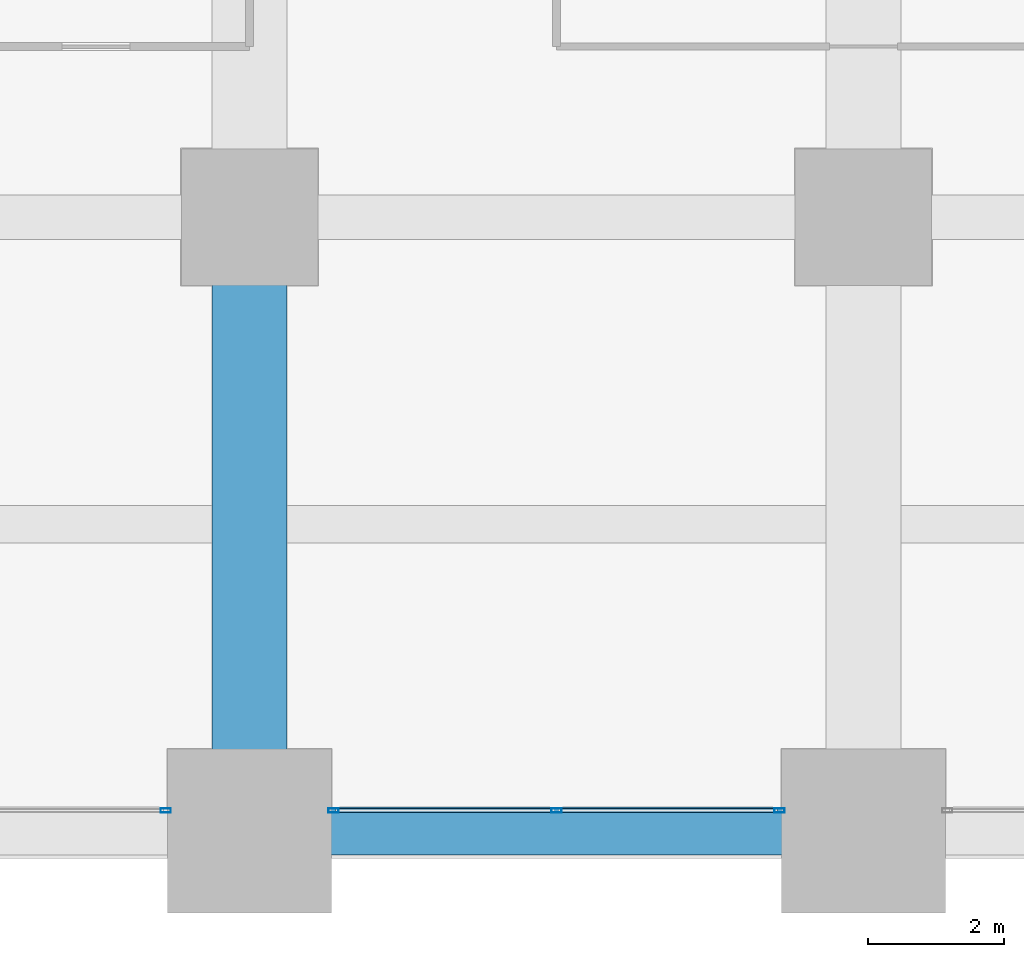
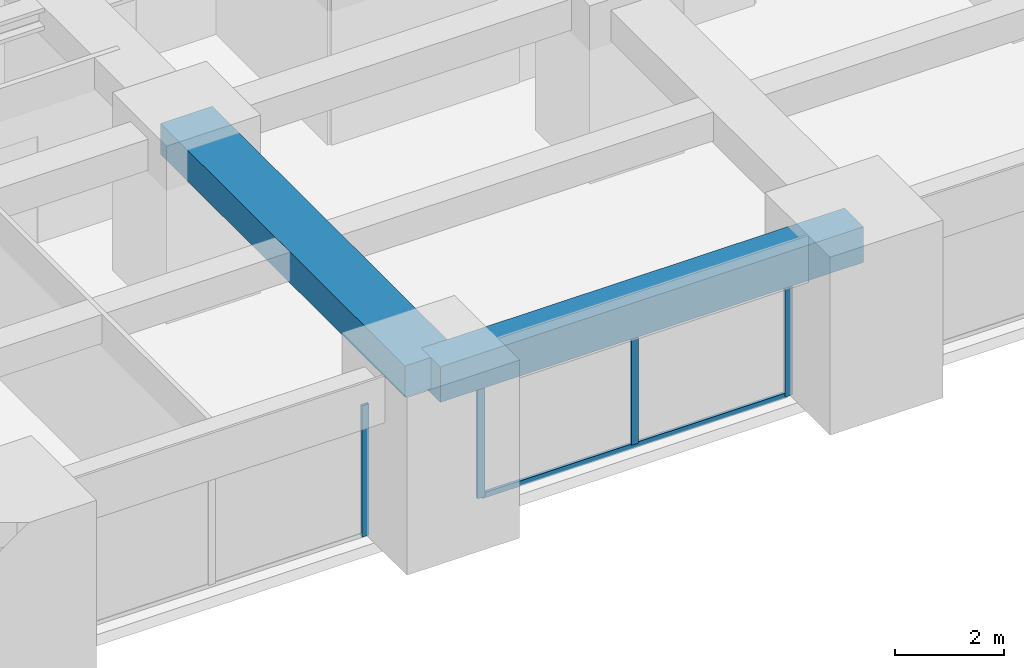
# One storey, part 13 of 41: 5 members, 2 beams, 2 elements without a shape of their own.
"""IFC4 building model written with IfcOpenShell, lengths in metres."""

from ifc_helpers import new_model, si_unit, direction, frame, origin, origin_2d, place, context, subcontext, project, spatial, rectangle, hollow_rectangle, extrude, material, material_profile, profile_set, type_object, element, aggregate, save


model = new_model("IFC4")

# Units and contexts
model_context = context("Model", 3, precision=1e-05, world=origin(), true_north=direction((0.0, 1.0)))
body_context = subcontext(model_context, "Body", "Model", "MODEL_VIEW")
ifc_project = project(units=[si_unit("LENGTHUNIT", "METRE"), si_unit("AREAUNIT", "SQUARE_METRE"), si_unit("VOLUMEUNIT", "CUBIC_METRE"), si_unit("PLANEANGLEUNIT", "RADIAN"), si_unit("MASSUNIT", "GRAM", prefix="KILO")], contexts=[model_context])

# Site, building, storey
site_placement = place(None, origin())
site = spatial("IfcSite", under=ifc_project, at=site_placement, CompositionType="ELEMENT")
building_placement = place(site_placement, origin())
building = spatial("IfcBuilding", under=site, at=building_placement, Name="Zorevar Civic Tower", CompositionType="ELEMENT")
storey_placement = place(building_placement, frame((0.0, 0.0, 109.0)))
storey = spatial("IfcBuildingStorey", under=building, at=storey_placement, Name="L26", CompositionType="ELEMENT", Elevation=109.0)

# Beam
ifc_material_1 = material(Name="Concrete C50/60", Category="concrete")
ifc_material_profile_1 = material_profile(ifc_material_1, rectangle(XDim=1.10009765625, YDim=0.699951171875, at=origin_2d()), Name="RC 1100x700")
ifc_profile_set_1 = profile_set([ifc_material_profile_1], Name="Concrete C50/60")
beam_type_1 = type_object("IfcBeamType", Name="Beam RC 1100x700", PredefinedType="BEAM", material=ifc_profile_set_1)
beam_1_placement = place(storey_placement, frame((36.0, 0.0, 3.39990234375), z_axis=(0.0, 1.0, 0.0), x_axis=(-1.0, 0.0, 0.0)))
element("IfcBeam", 1, at=beam_1_placement, inside=storey, type_object=beam_type_1, Name="Girder L27", PredefinedType="BEAM", context=body_context, shape_type="SweptSolid", body=[
    extrude(rectangle(XDim=1.10009765625, YDim=0.699951171875, at=origin_2d()), origin(), (0.0, 0.0, 1.0), 9.0),
])

# Curtain wall, member
ifc_material_2 = material(Name="Dark grey solar-control glass in black aluminium frame", Category="aluminium")
curtain_wall_type = type_object("IfcCurtainWallType", Name="Curtain wall CW3 mid zone", PredefinedType="NOTDEFINED", material=ifc_material_2)
curtain_wall_1_placement = place(storey_placement, origin())
curtain_wall_1 = element("IfcCurtainWall", 2, at=curtain_wall_1_placement, inside=storey, type_object=curtain_wall_type, Name="CW3 L26", PredefinedType="NOTDEFINED")
ifc_material_3 = material(Name="Aluminium, black anodised", Category="aluminium")
ifc_material_profile_2 = material_profile(ifc_material_3, hollow_rectangle(XDim=0.06005859375, YDim=0.14990234375, WallThickness=0.00390625, at=origin_2d()), Name="AL 150x60x4")
ifc_profile_set_2 = profile_set([ifc_material_profile_2], Name="Aluminium, black anodised")
member_type_1 = type_object("IfcMemberType", Name="CW3 mullion AL 150x60x4", PredefinedType="MULLION", material=ifc_profile_set_2)
member_1_placement = place(storey_placement, frame((34.77001953125, 0.300048828125, 0.0), z_axis=(0.0, 0.0, 1.0), x_axis=(0.0, 1.0, 0.0)))
member_1 = element("IfcMember", 3, at=member_1_placement, type_object=member_type_1, Name="CW3 mullion 3", PredefinedType="MULLION", context=body_context, shape_type="SweptSolid", body=[
    extrude(hollow_rectangle(XDim=0.06005859375, YDim=0.14990234375, WallThickness=0.00390625, at=origin_2d()), origin(), (0.0, 0.0, 1.0), 2.949951171875),
])
aggregate(curtain_wall_1, [member_1])

# Curtain wall, members
curtain_wall_2_placement = place(storey_placement, origin())
curtain_wall_2 = element("IfcCurtainWall", 4, at=curtain_wall_2_placement, inside=storey, type_object=curtain_wall_type, Name="CW3 L26", PredefinedType="NOTDEFINED")
member_2_placement = place(storey_placement, frame((37.22998046875, 0.300048828125, 0.0), z_axis=(0.0, 0.0, 1.0), x_axis=(0.0, 1.0, 0.0)))
member_2 = element("IfcMember", 5, at=member_2_placement, type_object=member_type_1, Name="CW3 mullion 1", PredefinedType="MULLION", context=body_context, shape_type="SweptSolid", body=[
    extrude(hollow_rectangle(XDim=0.06005859375, YDim=0.14990234375, WallThickness=0.00390625, at=origin_2d()), origin(), (0.0, 0.0, 1.0), 2.949951171875),
])
member_3_placement = place(storey_placement, frame((40.5, 0.300048828125, 0.06005859375), z_axis=(0.0, 0.0, 1.0), x_axis=(0.0, 1.0, 0.0)))
member_3 = element("IfcMember", 6, at=member_3_placement, type_object=member_type_1, Name="CW3 mullion 2", PredefinedType="MULLION", context=body_context, shape_type="SweptSolid", body=[
    extrude(hollow_rectangle(XDim=0.06005859375, YDim=0.14990234375, WallThickness=0.00390625, at=origin_2d()), origin(), (0.0, 0.0, 1.0), 2.889892578125),
])
member_4_placement = place(storey_placement, frame((43.77001953125, 0.300048828125, 0.0), z_axis=(0.0, 0.0, 1.0), x_axis=(0.0, 1.0, 0.0)))
member_4 = element("IfcMember", 7, at=member_4_placement, type_object=member_type_1, Name="CW3 mullion 3", PredefinedType="MULLION", context=body_context, shape_type="SweptSolid", body=[
    extrude(hollow_rectangle(XDim=0.06005859375, YDim=0.14990234375, WallThickness=0.00390625, at=origin_2d()), origin(), (0.0, 0.0, 1.0), 2.949951171875),
])
ifc_material_4 = material(Name="Aluminium, black anodised", Category="aluminium")
ifc_material_profile_3 = material_profile(ifc_material_4, hollow_rectangle(XDim=0.06005859375, YDim=0.1201171875, WallThickness=0.0029296875, at=origin_2d()), Name="AL 120x60x3")
ifc_profile_set_3 = profile_set([ifc_material_profile_3], Name="Aluminium, black anodised")
member_type_2 = type_object("IfcMemberType", Name="CW3 transom AL 120x60x3", PredefinedType="USERDEFINED", material=ifc_profile_set_3)
member_5_placement = place(storey_placement, frame((37.260009765625, 0.300048828125, 0.030029296875), z_axis=(1.0, 0.0, 0.0), x_axis=(0.0, 1.0, 0.0)))
member_5 = element("IfcMember", 8, at=member_5_placement, type_object=member_type_2, Name="CW3 sill transom", ObjectType="TRANSOM", PredefinedType="USERDEFINED", context=body_context, shape_type="SweptSolid", body=[
    extrude(hollow_rectangle(XDim=0.06005859375, YDim=0.1201171875, WallThickness=0.0029296875, at=origin_2d()), origin(), (0.0, 0.0, 1.0), 6.47998046875),
])
aggregate(curtain_wall_2, [member_2, member_3, member_4, member_5])

# Beam
ifc_material_5 = material(Name="Concrete C50/60", Category="concrete")
ifc_material_profile_4 = material_profile(ifc_material_5, rectangle(XDim=0.699951171875, YDim=0.800048828125, at=origin_2d()), Name="RC 700x800")
ifc_profile_set_4 = profile_set([ifc_material_profile_4], Name="Concrete C50/60")
beam_type_2 = type_object("IfcBeamType", Name="Edge beam RC 700x800", PredefinedType="SPANDREL", material=ifc_profile_set_4)
beam_2_placement = place(storey_placement, frame((36.0, 0.0, 3.35009765625), z_axis=(1.0, 0.0, 0.0), x_axis=(0.0, 1.0, 0.0)))
element("IfcBeam", 9, at=beam_2_placement, inside=storey, type_object=beam_type_2, Name="Edge beam L27", PredefinedType="SPANDREL", context=body_context, shape_type="SweptSolid", body=[
    extrude(rectangle(XDim=0.699951171875, YDim=0.800048828125, at=origin_2d()), origin(), (0.0, 0.0, 1.0), 9.0),
])

save(model, "model.ifc")
